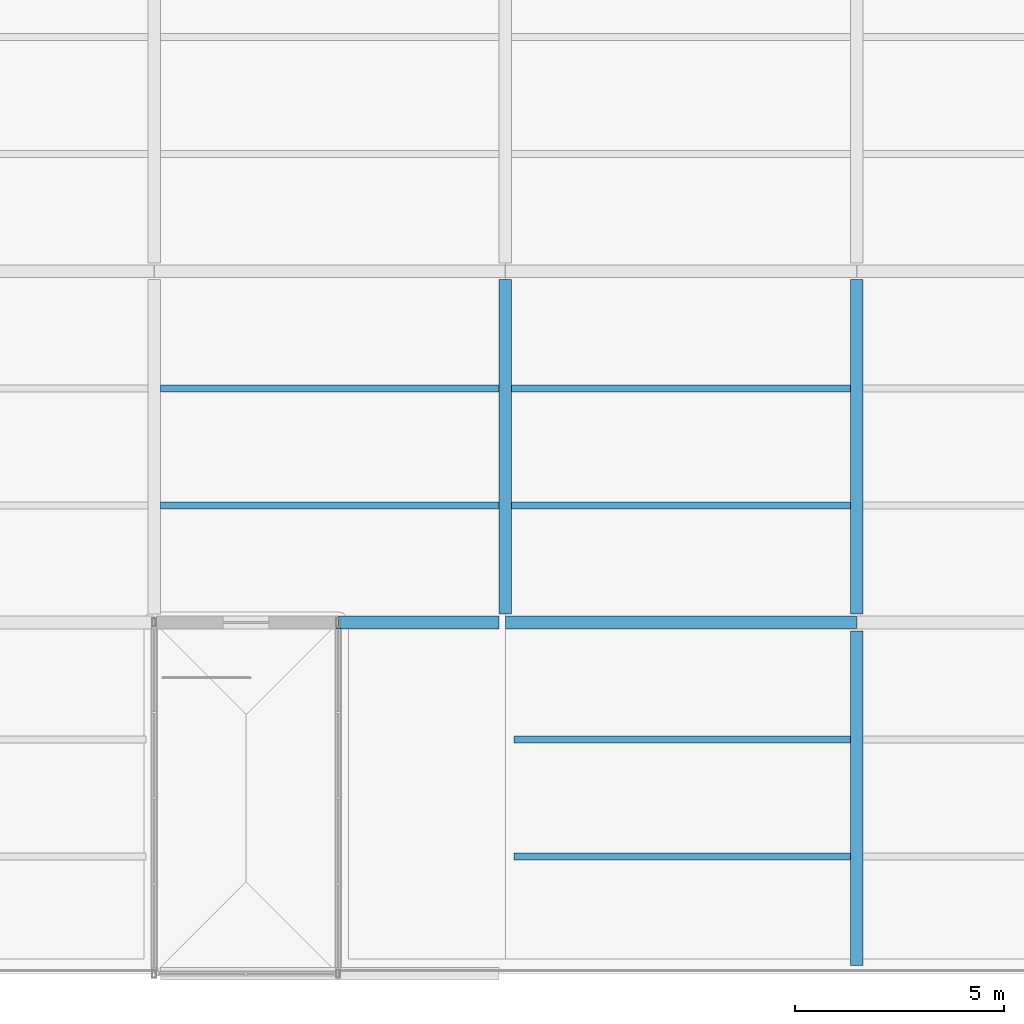
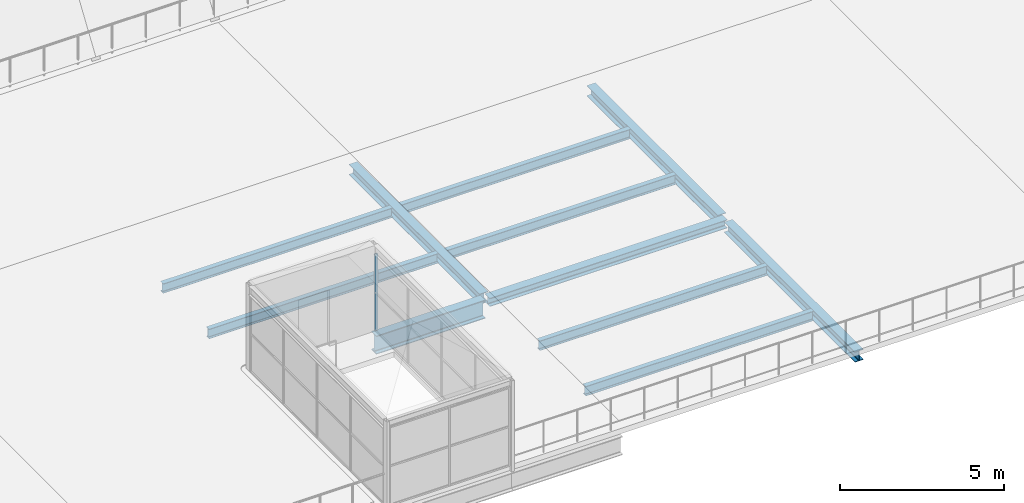
# One storey, part 23 of 58: 11 beams, 1 member, 1 element without a shape of its own.
"""IFC4 building model written with IfcOpenShell, lengths in metres."""

from ifc_helpers import new_model, si_unit, direction, frame, origin, origin_2d, place, context, subcontext, project, spatial, rectangle, i_section, extrude, material, layer, layer_set, material_profile, profile_set, type_object, element, aggregate, save


model = new_model("IFC4")

# Units and contexts
model_context = context("Model", 3, precision=1e-05, world=origin(), true_north=direction((0.0, 1.0)))
body_context = subcontext(model_context, "Body", "Model", "MODEL_VIEW")
ifc_project = project(units=[si_unit("LENGTHUNIT", "METRE"), si_unit("AREAUNIT", "SQUARE_METRE"), si_unit("VOLUMEUNIT", "CUBIC_METRE"), si_unit("PLANEANGLEUNIT", "RADIAN"), si_unit("MASSUNIT", "GRAM", prefix="KILO")], contexts=[model_context])

# Site, building, storey
site_placement = place(None, origin())
site = spatial("IfcSite", under=ifc_project, at=site_placement, CompositionType="ELEMENT")
building_placement = place(site_placement, origin())
building = spatial("IfcBuilding", under=site, at=building_placement, Name="Galleria Vessillo Department Store", CompositionType="ELEMENT")
storey_placement = place(building_placement, frame((0.0, 0.0, 31.199951171875)))
storey = spatial("IfcBuildingStorey", under=building, at=storey_placement, Name="L06", CompositionType="ELEMENT", Elevation=31.199951171875)

# Curtain wall, member
ifc_material_1 = material(Name="Aluminium and glass curtain wall", Category="aluminium")
ifc_layer = layer(ifc_material_1, 0.10009765625)
ifc_layer_set = layer_set([ifc_layer], Name="Aluminium and glass curtain wall")
curtain_wall_type = type_object("IfcCurtainWallType", Name="Pavilion curtain wall CW5 2100 module", PredefinedType="NOTDEFINED", material=ifc_layer_set)
curtain_wall_placement = place(storey_placement, origin())
curtain_wall = element("IfcCurtainWall", 1, at=curtain_wall_placement, inside=storey, type_object=curtain_wall_type, Name="Pavilion curtain wall CW5 2100 module PV-ST5-B", PredefinedType="NOTDEFINED")
ifc_material_2 = material(Name="Aluminium alloy 6063 T6", Category="aluminium")
ifc_material_profile_1 = material_profile(ifc_material_2, rectangle(XDim=0.10009765625, YDim=0.050048828125, at=origin_2d()), Name="AL 50x100")
ifc_profile_set_1 = profile_set([ifc_material_profile_1], Name="Aluminium alloy 6063 T6")
member_type = type_object("IfcMemberType", Name="Aluminium mullion 50 x 100", PredefinedType="MULLION", material=ifc_profile_set_1)
member_placement = place(storey_placement, frame((80.0, 8.27490234375, 0.0), z_axis=(0.0, 0.0, 1.0), x_axis=(-1.0, 0.0, 0.0)))
member = element("IfcMember", 2, at=member_placement, type_object=member_type, Name="CW5 mullion 5", PredefinedType="MULLION", context=body_context, shape_type="SweptSolid", body=[
    extrude(rectangle(XDim=0.10009765625, YDim=0.050048828125, at=origin_2d()), origin(), (0.0, 0.0, 1.0), 2.8701171875),
])
aggregate(curtain_wall, [member])

# Beams
ifc_material_3 = material(Name="Steel S355 J2", Category="steel")
ifc_material_profile_2 = material_profile(ifc_material_3, i_section(OverallWidth=0.300048828125, OverallDepth=0.389892578125, WebThickness=0.010986328125, FlangeThickness=0.01904296875, FilletRadius=0.027099609375, at=origin_2d()), Name="HEA 400")
ifc_profile_set_2 = profile_set([ifc_material_profile_2], Name="Steel S355 J2")
beam_type_1 = type_object("IfcBeamType", Name="Floor girder HEA 400", PredefinedType="BEAM", material=ifc_profile_set_2)
for number, where, z_axis, x_axis, name in (
    (3, (84.0, 8.60009765625, -0.39501953125), (0.0, 1.0, 0.0), (-1.0, 0.0, 0.0), "S-BM-L06-GI-y84000-8600"),
    (4, (92.39990234375, 0.2001953125, -0.39501953125), (0.0, 1.0, 0.0), (-1.0, 0.0, 0.0), "S-BM-L06-GI-y92400-200"),
    (5, (92.39990234375, 8.60009765625, -0.39501953125), (0.0, 1.0, 0.0), (-1.0, 0.0, 0.0), "S-BM-L06-GI-y92400-8600"),
):
    element("IfcBeam", number, at=place(storey_placement, frame(where, z_axis=z_axis, x_axis=x_axis)), inside=storey, type_object=beam_type_1, Name=name, PredefinedType="BEAM", context=body_context, shape_type="SweptSolid", body=[
        extrude(i_section(OverallWidth=0.300048828125, OverallDepth=0.389892578125, WebThickness=0.010986328125, FlangeThickness=0.01904296875, FilletRadius=0.027099609375, at=origin_2d()), origin(), (0.0, 0.0, 1.0), 7.999755859375),
    ])
ifc_material_4 = material(Name="Steel S355 J2", Category="steel")
ifc_material_profile_3 = material_profile(ifc_material_4, i_section(OverallWidth=0.169921875, OverallDepth=0.360107421875, WebThickness=0.008056640625, FlangeThickness=0.0126953125, FilletRadius=0.01806640625, at=origin_2d()), Name="IPE 360")
ifc_profile_set_3 = profile_set([ifc_material_profile_3], Name="Steel S355 J2")
beam_type_2 = type_object("IfcBeamType", Name="Floor joist IPE 360", PredefinedType="JOIST", material=ifc_profile_set_3)
for number, where, z_axis, x_axis, name in (
    (6, (75.750244140625, 11.199951171875, -0.3798828125), (1.0, 0.0, 0.0), (0.0, 1.0, 0.0), "S-BM-L06-JO-x11200-75750"),
    (7, (75.750244140625, 14.0, -0.3798828125), (1.0, 0.0, 0.0), (0.0, 1.0, 0.0), "S-BM-L06-JO-x14000-75750"),
):
    element("IfcBeam", number, at=place(storey_placement, frame(where, z_axis=z_axis, x_axis=x_axis)), inside=storey, type_object=beam_type_2, Name=name, PredefinedType="JOIST", context=body_context, shape_type="SweptSolid", body=[
        extrude(i_section(OverallWidth=0.169921875, OverallDepth=0.360107421875, WebThickness=0.008056640625, FlangeThickness=0.0126953125, FilletRadius=0.01806640625, at=origin_2d()), origin(), (0.0, 0.0, 1.0), 8.099609375),
    ])
for number, where, z_axis, x_axis, name in (
    (8, (84.2001953125, 2.800048828125, -0.3798828125), (1.0, 0.0, 0.0), (0.0, 1.0, 0.0), "S-BM-L06-JO-x2800-84200"),
    (9, (84.2001953125, 5.60009765625, -0.3798828125), (1.0, 0.0, 0.0), (0.0, 1.0, 0.0), "S-BM-L06-JO-x5600-84200"),
):
    element("IfcBeam", number, at=place(storey_placement, frame(where, z_axis=z_axis, x_axis=x_axis)), inside=storey, type_object=beam_type_2, Name=name, PredefinedType="JOIST", context=body_context, shape_type="SweptSolid", body=[
        extrude(i_section(OverallWidth=0.169921875, OverallDepth=0.360107421875, WebThickness=0.008056640625, FlangeThickness=0.0126953125, FilletRadius=0.01806640625, at=origin_2d()), origin(), (0.0, 0.0, 1.0), 8.049560546875),
    ])
for number, where, z_axis, x_axis, name in (
    (10, (84.150146484375, 11.199951171875, -0.3798828125), (1.0, 0.0, 0.0), (0.0, 1.0, 0.0), "S-BM-L06-JO-x11200-84150"),
    (11, (84.150146484375, 14.0, -0.3798828125), (1.0, 0.0, 0.0), (0.0, 1.0, 0.0), "S-BM-L06-JO-x14000-84150"),
):
    element("IfcBeam", number, at=place(storey_placement, frame(where, z_axis=z_axis, x_axis=x_axis)), inside=storey, type_object=beam_type_2, Name=name, PredefinedType="JOIST", context=body_context, shape_type="SweptSolid", body=[
        extrude(i_section(OverallWidth=0.169921875, OverallDepth=0.360107421875, WebThickness=0.008056640625, FlangeThickness=0.0126953125, FilletRadius=0.01806640625, at=origin_2d()), origin(), (0.0, 0.0, 1.0), 8.099609375),
    ])
ifc_material_5 = material(Name="Steel S355 J2", Category="steel")
ifc_material_profile_4 = material_profile(ifc_material_5, i_section(OverallWidth=0.300048828125, OverallDepth=0.31005859375, WebThickness=0.009033203125, FlangeThickness=0.015380859375, FilletRadius=0.027099609375, at=origin_2d()), Name="HEA 320")
ifc_profile_set_4 = profile_set([ifc_material_profile_4], Name="Steel S355 J2")
beam_type_3 = type_object("IfcBeamType", Name="Floor tie girder HEA 320", PredefinedType="BEAM", material=ifc_profile_set_4)
beam_1_placement = place(storey_placement, frame((84.0068359375, 8.39990234375, -0.35498046875), z_axis=(1.0, 0.0, 0.0), x_axis=(0.0, 1.0, 0.0)))
element("IfcBeam", 12, at=beam_1_placement, inside=storey, type_object=beam_type_3, Name="S-BM-L06-TI-x8400-84007", PredefinedType="BEAM", context=body_context, shape_type="SweptSolid", body=[
    extrude(i_section(OverallWidth=0.300048828125, OverallDepth=0.31005859375, WebThickness=0.009033203125, FlangeThickness=0.015380859375, FilletRadius=0.027099609375, at=origin_2d()), origin(), (0.0, 0.0, 1.0), 8.38623046875),
])
ifc_material_6 = material(Name="Steel S355 J2", Category="steel")
ifc_material_profile_5 = material_profile(ifc_material_6, i_section(OverallWidth=0.300048828125, OverallDepth=0.68994140625, WebThickness=0.014404296875, FlangeThickness=0.027099609375, FilletRadius=0.027099609375, at=origin_2d()), Name="HEA 700")
ifc_profile_set_5 = profile_set([ifc_material_profile_5], Name="Steel S355 J2")
beam_type_4 = type_object("IfcBeamType", Name="Pavilion base beam HEA 700", PredefinedType="BEAM", material=ifc_profile_set_5)
beam_2_placement = place(storey_placement, frame((80.000244140625, 8.39990234375, -0.544921875), z_axis=(1.0, 0.0, 0.0), x_axis=(0.0, 1.0, 0.0)))
element("IfcBeam", 13, at=beam_2_placement, inside=storey, type_object=beam_type_4, Name="S-BB-ST5-DE2", PredefinedType="BEAM", context=body_context, shape_type="SweptSolid", body=[
    extrude(i_section(OverallWidth=0.300048828125, OverallDepth=0.68994140625, WebThickness=0.014404296875, FlangeThickness=0.027099609375, FilletRadius=0.027099609375, at=origin_2d()), origin(), (0.0, 0.0, 1.0), 3.849609375),
])

save(model, "model.ifc")
